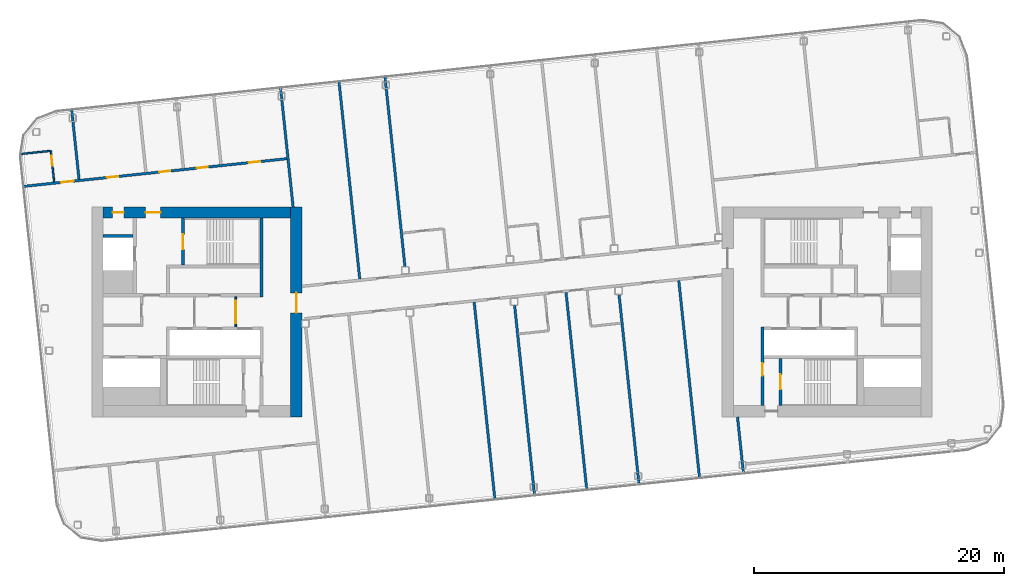
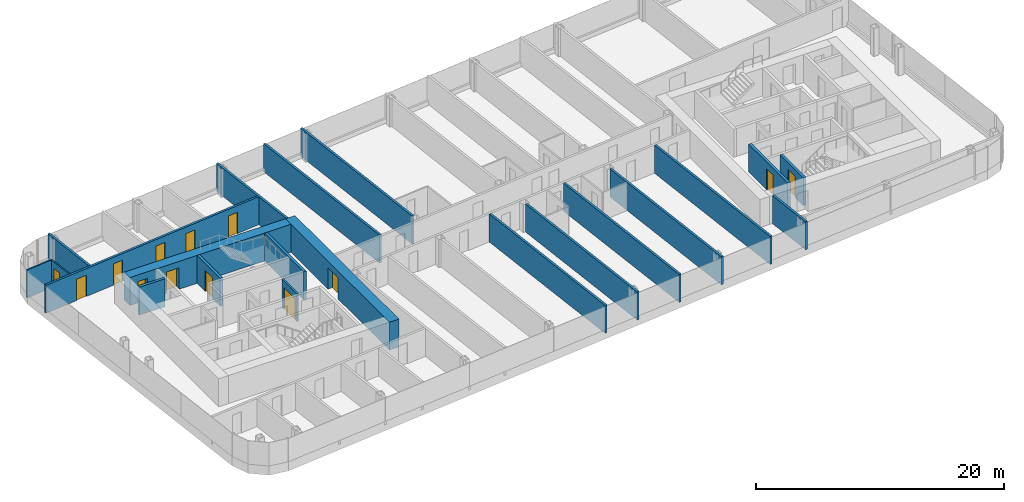
# One storey, part 15 of 27: 21 walls, 13 doors, 13 openings.
"""IFC4 building model written with IfcOpenShell, lengths in metres."""

import ifcopenshell
import ifcopenshell.guid

model = None  # the IFC model being written
_history = None  # IfcOwnerHistory: only IFC2X3 demands one
_inside = {}  # id of a spatial element -> (the spatial element, [elements in it])
_under = {}  # id of a project, library or spatial element -> (it, [spatial elements below it])
_declared = {}  # id of a project -> (the project, [libraries it declares])
_typed = {}  # id of a type object -> (the type object, [elements of that type])
_made_of = {}  # id of a material, layer set ... -> (it, [elements and type objects made of it])


def new_model(schema):
    """Start an empty IFC model of exactly this schema.

    Asked for "IFC4X3", IfcOpenShell would pick the latest addendum, in which some entities
    have other attributes; the version numbers below select the first issue.
    IFC2X3 requires an IfcOwnerHistory on every rooted entity: one is made here for all.
    """
    global model, _history
    if schema == "IFC4X3":
        model = ifcopenshell.file(schema_version=(4, 3, 0, 0))
    else:
        model = ifcopenshell.file(schema=schema)
    _inside.clear()
    _under.clear()
    _declared.clear()
    _typed.clear()
    _made_of.clear()
    _history = None
    if model.schema == "IFC2X3":
        org = make("IfcOrganization", Name="unknown")
        user = make(
            "IfcPersonAndOrganization",
            ThePerson=make("IfcPerson", FamilyName="unknown"),
            TheOrganization=org,
        )
        app = make(
            "IfcApplication",
            ApplicationDeveloper=org,
            Version="unknown",
            ApplicationFullName="unknown",
            ApplicationIdentifier="unknown",
        )
        _history = make(
            "IfcOwnerHistory",
            OwningUser=user,
            OwningApplication=app,
            ChangeAction="ADDED",
            CreationDate=0,
        )
    return model


def make(cls, **values):
    """One entity of the class cls with the attributes given. An attribute that is None is left unset."""
    return model.create_entity(
        cls, **{name: value for name, value in values.items() if value is not None}
    )


def rooted(cls, **values):
    """An entity with a GlobalId (a new one), such as an element, a storey or a relation."""
    return make(cls, GlobalId=ifcopenshell.guid.new(), OwnerHistory=_history, **values)


def si_unit(unit_type, name, prefix=None):
    """IfcSIUnit, for example si_unit("LENGTHUNIT", "METRE", prefix="MILLI")."""
    return make("IfcSIUnit", UnitType=unit_type, Prefix=prefix, Name=name)


def assignment(units):
    """IfcUnitAssignment: the units of a project."""
    return None if units is None else make("IfcUnitAssignment", Units=units)


def point(xyz):
    """IfcCartesianPoint."""
    return None if xyz is None else make("IfcCartesianPoint", Coordinates=xyz)


def direction(xyz):
    """IfcDirection."""
    return None if xyz is None else make("IfcDirection", DirectionRatios=xyz)


def frame(location, z_axis=None, x_axis=None):
    """IfcAxis2Placement3D, a coordinate frame: its origin and axes. An axis left out is left unset."""
    return make(
        "IfcAxis2Placement3D",
        Location=point(location),
        Axis=direction(z_axis),
        RefDirection=direction(x_axis),
    )


def frame_2d(location, x_axis=None):
    """IfcAxis2Placement2D, a coordinate frame in the plane: its origin and x axis."""
    return make(
        "IfcAxis2Placement2D", Location=point(location), RefDirection=direction(x_axis)
    )


def origin():
    """The frame at (0, 0, 0) with its axes left unset."""
    return frame((0.0, 0.0, 0.0))


def place(relative_to, where):
    """IfcLocalPlacement: puts the frame where relative to a parent placement (None: the world)."""
    return make(
        "IfcLocalPlacement", PlacementRelTo=relative_to, RelativePlacement=where
    )


def context(
    kind, dimensions, precision=None, world=None, true_north=None, identifier=None
):
    """IfcGeometricRepresentationContext, for example the 3D "Model" context."""
    return make(
        "IfcGeometricRepresentationContext",
        ContextIdentifier=identifier,
        ContextType=kind,
        CoordinateSpaceDimension=dimensions,
        Precision=precision,
        WorldCoordinateSystem=world,
        TrueNorth=true_north,
    )


def subcontext(parent, identifier, kind, view, scale=None):
    """IfcGeometricRepresentationSubContext, for example "Body" below "Model"."""
    return make(
        "IfcGeometricRepresentationSubContext",
        ContextIdentifier=identifier,
        ContextType=kind,
        ParentContext=parent,
        TargetScale=scale,
        TargetView=view,
    )


def project(units=None, contexts=None):
    """IfcProject with its units and contexts."""
    return rooted(
        "IfcProject",
        Name="project",
        RepresentationContexts=contexts,
        UnitsInContext=assignment(units),
    )


def spatial(cls, under=None, at=None, **own):
    """A site, building, storey or space (cls), placed at a placement, below another one or the project."""
    s = rooted(cls, ObjectPlacement=at, **own)
    if under is not None:
        _under.setdefault(under.id(), (under, []))[1].append(s)
    return s


def profile(cls, at=None, kind="AREA", **sizes):
    """A parametric profile (cls). Its sizes go by their IFC names, for example OverallWidth=200.0."""
    return make(cls, ProfileType=kind, Position=at, **sizes)


def rectangle(**sizes):
    """IfcRectangleProfileDef."""
    return profile("IfcRectangleProfileDef", **sizes)


def extrude(swept, where, along, depth):
    """IfcExtrudedAreaSolid: the profile swept, set in the frame where, extruded along a direction by depth."""
    return make(
        "IfcExtrudedAreaSolid",
        SweptArea=swept,
        Position=where,
        ExtrudedDirection=direction(along),
        Depth=depth,
    )


def shape(context_of_items, identifier, shape_type, items):
    """IfcShapeRepresentation: the items that make up one representation, for example the "Body"."""
    return make(
        "IfcShapeRepresentation",
        ContextOfItems=context_of_items,
        RepresentationIdentifier=identifier,
        RepresentationType=shape_type,
        Items=items,
    )


def material(Name=None, Category=None):
    """IfcMaterial."""
    return make("IfcMaterial", Name=Name, Category=Category)


def layer(
    of_material, thickness, ventilated=None, Name=None, Category=None, Priority=None
):
    """IfcMaterialLayer: one layer of a wall or slab, of a material (None: an air gap)."""
    return make(
        "IfcMaterialLayer",
        Material=of_material,
        LayerThickness=thickness,
        IsVentilated=ventilated,
        Name=Name,
        Category=Category,
        Priority=Priority,
    )


def layer_set(layers, Name=None):
    """IfcMaterialLayerSet."""
    return make("IfcMaterialLayerSet", MaterialLayers=layers, LayerSetName=Name)


def made_of(thing, what):
    """Note that an element or type object is made of a material, layer set ...; save() writes the relation."""
    if what is not None:
        _made_of.setdefault(what.id(), (what, []))[1].append(thing)
    return thing


def type_object(cls, material=None, **own):
    """A type object (cls), such as IfcWallType, which elements share."""
    return made_of(rooted(cls, **own), material)


def element(
    cls,
    number,
    at=None,
    inside=None,
    cuts=None,
    type_object=None,
    material=None,
    context=None,
    identifier="Body",
    shape_type=None,
    held_by="IfcProductDefinitionShape",
    body=None,
    shapes=None,
    **own,
):
    """One element of the class cls, such as IfcWall. Its Tag is "e" and its number.

    at: its placement. inside: the storey or other place that contains it. cuts: it is an
    opening in that element (IfcRelVoidsElement). A single representation is given by context,
    identifier, shape_type and body (its items); several are given by shapes. held_by: the class
    of the entity that holds the representations. save() writes the other relations.
    """
    e = rooted(cls, Tag="e%d" % number, ObjectPlacement=at, **own)
    if body is not None:
        shapes = [shape(context, identifier, shape_type, body)]
    if shapes is not None:
        e.Representation = make(held_by, Representations=shapes)
    if inside is not None:
        _inside.setdefault(inside.id(), (inside, []))[1].append(e)
    if cuts is not None:
        rooted(
            "IfcRelVoidsElement", RelatingBuildingElement=cuts, RelatedOpeningElement=e
        )
    if type_object is not None:
        _typed.setdefault(type_object.id(), (type_object, []))[1].append(e)
    return made_of(e, material)


def fill(opening, filler):
    """IfcRelFillsElement: the door or window that sits in an opening."""
    return rooted(
        "IfcRelFillsElement",
        RelatingOpeningElement=opening,
        RelatedBuildingElement=filler,
    )


def aggregate(whole, parts):
    """IfcRelAggregates: a whole, such as a stair, and the parts it consists of."""
    return rooted("IfcRelAggregates", RelatingObject=whole, RelatedObjects=parts)


def save(model, path):
    """Write the relations noted so far, then the file.

    IfcRelAggregates (storeys below a building ...), IfcRelContainedInSpatialStructure (elements
    in a storey), IfcRelDefinesByType, IfcRelAssociatesMaterial and IfcRelDeclares: one each for
    every whole, place, type object, material and project.
    """
    for whole, parts in _under.values():
        aggregate(whole, parts)
    for where, things in _inside.values():
        rooted(
            "IfcRelContainedInSpatialStructure",
            RelatedElements=things,
            RelatingStructure=where,
        )
    for kind, things in _typed.values():
        rooted("IfcRelDefinesByType", RelatedObjects=things, RelatingType=kind)
    for what, things in _made_of.values():
        rooted("IfcRelAssociatesMaterial", RelatedObjects=things, RelatingMaterial=what)
    for by, libraries in _declared.values():
        rooted("IfcRelDeclares", RelatingContext=by, RelatedDefinitions=libraries)
    model.write(path)


model = new_model("IFC4")

# Units and contexts
model_context = context("Model", 3, precision=1e-05, world=origin(), true_north=direction((0.0, 1.0)))
body_context = subcontext(model_context, "Body", "Model", "MODEL_VIEW")
ifc_project = project(units=[si_unit("LENGTHUNIT", "METRE"), si_unit("AREAUNIT", "SQUARE_METRE"), si_unit("VOLUMEUNIT", "CUBIC_METRE"), si_unit("PLANEANGLEUNIT", "RADIAN"), si_unit("MASSUNIT", "GRAM", prefix="KILO")], contexts=[model_context])

# Site, building, storey
site_placement = place(None, origin())
site = spatial("IfcSite", under=ifc_project, at=site_placement, CompositionType="ELEMENT")
building_placement = place(site_placement, origin())
building = spatial("IfcBuilding", under=site, at=building_placement, Name="Hakoniwa Tower and Hamabe Station Hall", CompositionType="ELEMENT")
storey_placement = place(building_placement, frame((0.0, 0.0, 261.39990234375)))
storey = spatial("IfcBuildingStorey", under=building, at=storey_placement, Name="L74", CompositionType="ELEMENT", Elevation=261.39990234375)

# Wall
ifc_material_1 = material(Name="Gypsum board partition", Category="gypsum")
ifc_layer_1 = layer(ifc_material_1, 0.125)
ifc_layer_set_1 = layer_set([ifc_layer_1], Name="Bathroom Partition 125")
wall_type_1 = type_object("IfcWallType", Name="Bathroom Partition 125", PredefinedType="PARTITIONING", material=ifc_layer_set_1)
wall_1_placement = place(storey_placement, frame((-39.336181640625, 12.62353515625, 0.0), z_axis=(0.0, 0.0, 1.0), x_axis=(0.994528281662, 0.104467683877, 0.0)))
element("IfcWall", 1, at=wall_1_placement, inside=storey, type_object=wall_type_1, Name="GW-L74-013", PredefinedType="PARTITIONING", context=body_context, shape_type="SweptSolid", body=[
    extrude(rectangle(XDim=2.400146484375, YDim=0.125, at=frame_2d((1.2001953125, 0.0))), origin(), (0.0, 0.0, 1.0), 2.75),
])

# Wall, opening, door
wall_2_placement = place(storey_placement, frame((-36.625732421875, 10.39453125, 0.0), z_axis=(0.0, 0.0, 1.0), x_axis=(-0.104588199498, 0.994515615024, 0.0)))
wall_2 = element("IfcWall", 2, at=wall_2_placement, inside=storey, type_object=wall_type_1, Name="GW-L74-014", PredefinedType="PARTITIONING", context=body_context, shape_type="SweptSolid", body=[
    extrude(rectangle(XDim=2.5, YDim=0.125, at=frame_2d((1.25, 0.0))), origin(), (0.0, 0.0, 1.0), 2.75),
])
opening_1_placement = place(wall_2_placement, frame((1.300048828125, 0.0, 0.0)))
opening_1 = element("IfcOpeningElement", 3, at=opening_1_placement, cuts=wall_2, Name="Opening GD-G5D1-30", PredefinedType="OPENING", context=body_context, shape_type="SweptSolid", body=[
    extrude(rectangle(XDim=0.800048828125, YDim=2.10009765625, at=frame_2d((0.39990234375, 1.050048828125))), frame((0.0, 0.072509765625, 0.0), z_axis=(0.0, -1.0, 0.0), x_axis=(1.0, 0.0, 0.0)), (0.0, 0.0, 1.0), 0.14501953125),
])
ifc_material_2 = material(Name="Timber door leaf", Category="wood")
door_type_1 = type_object("IfcDoorType", Name="Bathroom Door 800", OperationType="SINGLE_SWING_LEFT", PredefinedType="DOOR", material=ifc_material_2)
door_1_placement = place(opening_1_placement, origin())
door_1 = element("IfcDoor", 4, at=door_1_placement, inside=storey, type_object=door_type_1, Name="Door GD-G5D1-30", OperationType="SINGLE_SWING_LEFT", OverallHeight=2.10009765625, OverallWidth=0.800048828125, PredefinedType="DOOR", context=body_context, shape_type="SweptSolid", body=[
    extrude(rectangle(XDim=0.800048828125, YDim=2.10009765625, at=frame_2d((0.39990234375, 1.050048828125))), frame((0.0, 0.02490234375, 0.0), z_axis=(0.0, -1.0, 0.0), x_axis=(1.0, 0.0, 0.0)), (0.0, 0.0, 1.0), 0.050048828125),
])
fill(opening_1, door_1)

ifc_material_3 = material(Name="Gypsum board partition")
ifc_layer_2 = layer(ifc_material_3, 0.14990234375)
ifc_layer_set_2 = layer_set([ifc_layer_2], Name="CORE PARTITION 150 EI 60")
wall_type_2 = type_object("IfcWallType", Name="CORE PARTITION 150 EI 60", PredefinedType="PARTITIONING", material=ifc_layer_set_2)
wall_3_placement = place(storey_placement, frame((-22.10009765625, -1.199951171875, 0.0), z_axis=(0.0, 0.0, 1.0), x_axis=(0.0, 1.0, 0.0)))
wall_3 = element("IfcWall", 5, at=wall_3_placement, inside=storey, type_object=wall_type_2, Name="Core partition PL0 west", PredefinedType="PARTITIONING", context=body_context, shape_type="SweptSolid", body=[
    extrude(rectangle(XDim=2.39990234375, YDim=0.14990234375, at=frame_2d((1.199951171875, 0.0))), origin(), (0.0, 0.0, 1.0), 2.75),
])
opening_2_placement = place(wall_3_placement, frame((0.300048828125, 0.0, 0.0)))
opening_2 = element("IfcOpeningElement", 6, at=opening_2_placement, cuts=wall_3, Name="Opening CD-W-LP0-18", PredefinedType="OPENING", context=body_context, shape_type="SweptSolid", body=[
    extrude(rectangle(XDim=1.800048828125, YDim=2.10009765625, at=frame_2d((0.89990234375, 1.050048828125))), frame((0.0, 0.0849609375, 0.0), z_axis=(0.0, -1.0, 0.0), x_axis=(1.0, 0.0, 0.0)), (0.0, 0.0, 1.0), 0.169921875),
])
ifc_material_4 = material(Name="Steel fire door", Category="steel")
door_type_2 = type_object("IfcDoorType", Name="CORE DOOR 1800 FD60", OperationType="DOUBLE_DOOR_SINGLE_SWING", PredefinedType="DOOR", material=ifc_material_4)
door_2_placement = place(opening_2_placement, origin())
door_2 = element("IfcDoor", 7, at=door_2_placement, inside=storey, type_object=door_type_2, Name="Lift lobby partition door", OperationType="DOUBLE_DOOR_SINGLE_SWING", OverallHeight=2.10009765625, OverallWidth=1.800048828125, PredefinedType="DOOR", context=body_context, shape_type="SweptSolid", body=[
    extrude(rectangle(XDim=1.800048828125, YDim=2.10009765625, at=frame_2d((0.89990234375, 1.050048828125))), frame((0.0, 0.02490234375, 0.0), z_axis=(0.0, -1.0, 0.0), x_axis=(1.0, 0.0, 0.0)), (0.0, 0.0, 1.0), 0.050048828125),
])
fill(opening_2, door_2)

ifc_material_5 = material(Name="Concrete C60", Category="concrete")
ifc_layer_3 = layer(ifc_material_5, 0.89990234375)
ifc_layer_set_3 = layer_set([ifc_layer_3], Name="CORE WALL 900 C60")
wall_type_3 = type_object("IfcWallType", Name="CORE WALL 900 C60", PredefinedType="SHEAR", material=ifc_layer_set_3)
wall_4_placement = place(storey_placement, frame((-17.25, -8.39990234375, 0.0), z_axis=(0.0, 0.0, 1.0), x_axis=(0.0, 1.0, 0.0)))
wall_4 = element("IfcWall", 8, at=wall_4_placement, inside=storey, type_object=wall_type_3, Name="Core wall INNER west", PredefinedType="SHEAR", context=body_context, shape_type="SweptSolid", body=[
    extrude(rectangle(XDim=16.7998046875, YDim=0.89990234375, at=frame_2d((8.39990234375, 0.0))), origin(), (0.0, 0.0, 1.0), 2.75),
])
opening_3_placement = place(wall_4_placement, frame((8.321044921875, 0.0, 0.0)))
opening_3 = element("IfcOpeningElement", 9, at=opening_3_placement, cuts=wall_4, Name="Opening CD-W-IN1-16", PredefinedType="OPENING", context=body_context, shape_type="SweptSolid", body=[
    extrude(rectangle(XDim=1.60009765625, YDim=2.10009765625, at=frame_2d((0.800048828125, 1.050048828125))), frame((0.0, 0.4599609375, 0.0), z_axis=(0.0, -1.0, 0.0), x_axis=(1.0, 0.0, 0.0)), (0.0, 0.0, 1.0), 0.919921875),
])
ifc_material_6 = material(Name="Steel fire door", Category="steel")
door_type_3 = type_object("IfcDoorType", Name="CORE DOOR 1600 FD60", OperationType="DOUBLE_DOOR_SINGLE_SWING", PredefinedType="DOOR", material=ifc_material_6)
door_3_placement = place(opening_3_placement, origin())
door_3 = element("IfcDoor", 10, at=door_3_placement, inside=storey, type_object=door_type_3, Name="Lift lobby door", OperationType="DOUBLE_DOOR_SINGLE_SWING", OverallHeight=2.10009765625, OverallWidth=1.60009765625, PredefinedType="DOOR", context=body_context, shape_type="SweptSolid", body=[
    extrude(rectangle(XDim=1.60009765625, YDim=2.10009765625, at=frame_2d((0.800048828125, 1.050048828125))), frame((0.0, 0.02490234375, 0.0), z_axis=(0.0, -1.0, 0.0), x_axis=(1.0, 0.0, 0.0)), (0.0, 0.0, 1.0), 0.050048828125),
])
fill(opening_3, door_3)

# Wall, openings, doors
wall_5_placement = place(storey_placement, frame((-32.699951171875, 7.949951171875, 0.0), z_axis=(0.0, 0.0, 1.0), x_axis=(1.0, 0.0, 0.0)))
wall_5 = element("IfcWall", 11, at=wall_5_placement, inside=storey, type_object=wall_type_3, Name="Core wall NORTH west", PredefinedType="SHEAR", context=body_context, shape_type="SweptSolid", body=[
    extrude(rectangle(XDim=15.0, YDim=0.89990234375, at=frame_2d((7.5, 0.0))), origin(), (0.0, 0.0, 1.0), 2.75),
])
opening_4_placement = place(wall_5_placement, frame((3.39990234375, 0.0, 0.0)))
opening_4 = element("IfcOpeningElement", 12, at=opening_4_placement, cuts=wall_5, Name="Opening CD-W-FN1-12", PredefinedType="OPENING", context=body_context, shape_type="SweptSolid", body=[
    extrude(rectangle(XDim=1.199951171875, YDim=2.10009765625, at=frame_2d((0.60009765625, 1.050048828125))), frame((0.0, 0.4599609375, 0.0), z_axis=(0.0, -1.0, 0.0), x_axis=(1.0, 0.0, 0.0)), (0.0, 0.0, 1.0), 0.919921875),
])
opening_5_placement = place(wall_5_placement, frame((0.75, 0.0, 0.0)))
opening_5 = element("IfcOpeningElement", 13, at=opening_5_placement, cuts=wall_5, Name="Opening CD-W-FN2-9", PredefinedType="OPENING", context=body_context, shape_type="SweptSolid", body=[
    extrude(rectangle(XDim=0.89990234375, YDim=2.10009765625, at=frame_2d((0.449951171875, 1.050048828125))), frame((0.0, 0.4599609375, 0.0), z_axis=(0.0, -1.0, 0.0), x_axis=(1.0, 0.0, 0.0)), (0.0, 0.0, 1.0), 0.919921875),
])
ifc_material_7 = material(Name="Steel fire door", Category="steel")
door_type_4 = type_object("IfcDoorType", Name="CORE DOOR 1200 FD60", OperationType="DOUBLE_DOOR_SINGLE_SWING", PredefinedType="DOOR", material=ifc_material_7)
door_4_placement = place(opening_4_placement, origin())
door_4 = element("IfcDoor", 14, at=door_4_placement, inside=storey, type_object=door_type_4, Name="Stair vestibule door to the fire-fighting lobby", OperationType="DOUBLE_DOOR_SINGLE_SWING", OverallHeight=2.10009765625, OverallWidth=1.199951171875, PredefinedType="DOOR", context=body_context, shape_type="SweptSolid", body=[
    extrude(rectangle(XDim=1.199951171875, YDim=2.10009765625, at=frame_2d((0.60009765625, 1.050048828125))), frame((0.0, 0.02490234375, 0.0), z_axis=(0.0, -1.0, 0.0), x_axis=(1.0, 0.0, 0.0)), (0.0, 0.0, 1.0), 0.050048828125),
])
fill(opening_4, door_4)
ifc_material_8 = material(Name="Steel fire door", Category="steel")
door_type_5 = type_object("IfcDoorType", Name="CORE DOOR 900 FD30", OperationType="NOTDEFINED", PredefinedType="DOOR", material=ifc_material_8)
door_5_placement = place(opening_5_placement, origin())
door_5 = element("IfcDoor", 15, at=door_5_placement, inside=storey, type_object=door_type_5, Name="Riser access door", OperationType="SINGLE_SWING_RIGHT", OverallHeight=2.10009765625, OverallWidth=0.89990234375, PredefinedType="DOOR", context=body_context, shape_type="SweptSolid", body=[
    extrude(rectangle(XDim=0.89990234375, YDim=2.10009765625, at=frame_2d((0.449951171875, 1.050048828125))), frame((0.0, 0.02490234375, 0.0), z_axis=(0.0, -1.0, 0.0), x_axis=(1.0, 0.0, 0.0)), (0.0, 0.0, 1.0), 0.050048828125),
])
fill(opening_5, door_5)

# Wall
ifc_material_9 = material(Name="Concrete C60", Category="concrete")
ifc_layer_4 = layer(ifc_material_9, 0.25)
ifc_layer_set_4 = layer_set([ifc_layer_4], Name="CORE WEB WALL 250 C60")
wall_type_4 = type_object("IfcWallType", Name="CORE WEB WALL 250 C60", PredefinedType="SHEAR", material=ifc_layer_set_4)
wall_6_placement = place(storey_placement, frame((-20.02490234375, 1.199951171875, 0.0), z_axis=(0.0, 0.0, 1.0), x_axis=(0.0, 1.0, 0.0)))
element("IfcWall", 16, at=wall_6_placement, inside=storey, type_object=wall_type_4, Name="Core wall W1N west", PredefinedType="SHEAR", context=body_context, shape_type="SweptSolid", body=[
    extrude(rectangle(XDim=6.300048828125, YDim=0.25, at=frame_2d((3.14990234375, 0.0))), origin(), (0.0, 0.0, 1.0), 2.75),
])

# Wall, opening, door
wall_7_placement = place(storey_placement, frame((-26.324951171875, 3.75, 0.0), z_axis=(0.0, 0.0, 1.0), x_axis=(0.0, 1.0, 0.0)))
wall_7 = element("IfcWall", 17, at=wall_7_placement, inside=storey, type_object=wall_type_4, Name="Core wall NSE west", PredefinedType="SHEAR", context=body_context, shape_type="SweptSolid", body=[
    extrude(rectangle(XDim=3.75, YDim=0.25, at=frame_2d((1.875, 0.0))), origin(), (0.0, 0.0, 1.0), 2.75),
])
opening_6_placement = place(wall_7_placement, frame((1.25, 0.0, 0.0)))
opening_6 = element("IfcOpeningElement", 18, at=opening_6_placement, cuts=wall_7, Name="Opening CD-W-SN-12", PredefinedType="OPENING", context=body_context, shape_type="SweptSolid", body=[
    extrude(rectangle(XDim=1.199951171875, YDim=2.10009765625, at=frame_2d((0.60009765625, 1.050048828125))), frame((0.0, 0.135009765625, 0.0), z_axis=(0.0, -1.0, 0.0), x_axis=(1.0, 0.0, 0.0)), (0.0, 0.0, 1.0), 0.27001953125),
])
door_6_placement = place(opening_6_placement, origin())
door_6 = element("IfcDoor", 19, at=door_6_placement, inside=storey, type_object=door_type_4, Name="Escape stair door", OperationType="DOUBLE_DOOR_SINGLE_SWING", OverallHeight=2.10009765625, OverallWidth=1.199951171875, PredefinedType="DOOR", context=body_context, shape_type="SweptSolid", body=[
    extrude(rectangle(XDim=1.199951171875, YDim=2.10009765625, at=frame_2d((0.60009765625, 1.050048828125))), frame((0.0, 0.02490234375, 0.0), z_axis=(0.0, -1.0, 0.0), x_axis=(1.0, 0.0, 0.0)), (0.0, 0.0, 1.0), 0.050048828125),
])
fill(opening_6, door_6)

# Wall
wall_8_placement = place(storey_placement, frame((-32.699951171875, 6.074951171875, 0.0), z_axis=(0.0, 0.0, 1.0), x_axis=(1.0, 0.0, 0.0)))
element("IfcWall", 20, at=wall_8_placement, inside=storey, type_object=wall_type_4, Name="Core wall C2 west", PredefinedType="SHEAR", context=body_context, shape_type="SweptSolid", body=[
    extrude(rectangle(XDim=2.39990234375, YDim=0.25, at=frame_2d((1.199951171875, 0.0))), origin(), (0.0, 0.0, 1.0), 2.75),
])

# Wall, opening, door
wall_9_placement = place(storey_placement, frame((20.02490234375, -7.5, 0.0), z_axis=(0.0, 0.0, 1.0), x_axis=(0.0, 1.0, 0.0)))
wall_9 = element("IfcWall", 21, at=wall_9_placement, inside=storey, type_object=wall_type_4, Name="Core wall W1S east", PredefinedType="SHEAR", context=body_context, shape_type="SweptSolid", body=[
    extrude(rectangle(XDim=6.300048828125, YDim=0.25, at=frame_2d((3.14990234375, 0.0))), origin(), (0.0, 0.0, 1.0), 2.75),
])
opening_7_placement = place(wall_9_placement, frame((2.39990234375, 0.0, 0.0)))
opening_7 = element("IfcOpeningElement", 22, at=opening_7_placement, cuts=wall_9, Name="Opening CD-E-VS-10", PredefinedType="OPENING", context=body_context, shape_type="SweptSolid", body=[
    extrude(rectangle(XDim=1.0, YDim=2.10009765625, at=frame_2d((0.5, 1.050048828125))), frame((0.0, 0.135009765625, 0.0), z_axis=(0.0, -1.0, 0.0), x_axis=(1.0, 0.0, 0.0)), (0.0, 0.0, 1.0), 0.27001953125),
])
ifc_material_10 = material(Name="Steel fire door", Category="steel")
door_type_6 = type_object("IfcDoorType", Name="CORE DOOR 1000 FD60", OperationType="NOTDEFINED", PredefinedType="DOOR", material=ifc_material_10)
door_7_placement = place(opening_7_placement, origin())
door_7 = element("IfcDoor", 23, at=door_7_placement, inside=storey, type_object=door_type_6, Name="Stair vestibule door", OperationType="SINGLE_SWING_RIGHT", OverallHeight=2.10009765625, OverallWidth=1.0, PredefinedType="DOOR", context=body_context, shape_type="SweptSolid", body=[
    extrude(rectangle(XDim=1.0, YDim=2.10009765625, at=frame_2d((0.5, 1.050048828125))), frame((0.0, 0.02490234375, 0.0), z_axis=(0.0, -1.0, 0.0), x_axis=(1.0, 0.0, 0.0)), (0.0, 0.0, 1.0), 0.050048828125),
])
fill(opening_7, door_7)

wall_10_placement = place(storey_placement, frame((21.47509765625, -7.5, 0.0), z_axis=(0.0, 0.0, 1.0), x_axis=(0.0, 1.0, 0.0)))
wall_10 = element("IfcWall", 24, at=wall_10_placement, inside=storey, type_object=wall_type_4, Name="Core wall VE east", PredefinedType="SHEAR", context=body_context, shape_type="SweptSolid", body=[
    extrude(rectangle(XDim=3.75, YDim=0.25, at=frame_2d((1.875, 0.0))), origin(), (0.0, 0.0, 1.0), 2.75),
])
opening_8_placement = place(wall_10_placement, frame((1.300048828125, 0.0, 0.0)))
opening_8 = element("IfcOpeningElement", 25, at=opening_8_placement, cuts=wall_10, Name="Opening CD-E-SS-12", PredefinedType="OPENING", context=body_context, shape_type="SweptSolid", body=[
    extrude(rectangle(XDim=1.199951171875, YDim=2.10009765625, at=frame_2d((0.60009765625, 1.050048828125))), frame((0.0, 0.135009765625, 0.0), z_axis=(0.0, -1.0, 0.0), x_axis=(1.0, 0.0, 0.0)), (0.0, 0.0, 1.0), 0.27001953125),
])
door_8_placement = place(opening_8_placement, origin())
door_8 = element("IfcDoor", 26, at=door_8_placement, inside=storey, type_object=door_type_4, Name="Escape stair door", OperationType="DOUBLE_DOOR_SINGLE_SWING", OverallHeight=2.10009765625, OverallWidth=1.199951171875, PredefinedType="DOOR", context=body_context, shape_type="SweptSolid", body=[
    extrude(rectangle(XDim=1.199951171875, YDim=2.10009765625, at=frame_2d((0.60009765625, 1.050048828125))), frame((0.0, 0.02490234375, 0.0), z_axis=(0.0, -1.0, 0.0), x_axis=(1.0, 0.0, 0.0)), (0.0, 0.0, 1.0), 0.050048828125),
])
fill(opening_8, door_8)

# Wall, openings, doors
ifc_material_11 = material(Name="Fire-rated gypsum board partition", Category="gypsum")
ifc_layer_5 = layer(ifc_material_11, 0.199951171875)
ifc_layer_set_5 = layer_set([ifc_layer_5], Name="Corridor Wall 200")
wall_type_5 = type_object("IfcWallType", Name="Corridor Wall 200", PredefinedType="PARTITIONING", material=ifc_layer_set_5)
wall_11_placement = place(storey_placement, frame((-39.101806640625, 10.033935546875, 0.0), z_axis=(0.0, 0.0, 1.0), x_axis=(0.994522585465, 0.104521897229, 0.0)))
wall_11 = element("IfcWall", 27, at=wall_11_placement, inside=storey, type_object=wall_type_5, Name="GW-L74-012", PredefinedType="PARTITIONING", context=body_context, shape_type="SweptSolid", body=[
    extrude(rectangle(XDim=21.300048828125, YDim=0.199951171875, at=frame_2d((10.64990234375, 0.0))), origin(), (0.0, 0.0, 1.0), 2.75),
])
opening_9_placement = place(wall_11_placement, frame((3.050048828125, 0.0, 0.0)))
opening_9 = element("IfcOpeningElement", 28, at=opening_9_placement, cuts=wall_11, Name="Opening GD-G5D1-25", PredefinedType="OPENING", context=body_context, shape_type="SweptSolid", body=[
    extrude(rectangle(XDim=1.0, YDim=2.10009765625, at=frame_2d((0.5, 1.050048828125))), frame((0.0, 0.10986328125, 0.0), z_axis=(0.0, -1.0, 0.0), x_axis=(1.0, 0.0, 0.0)), (0.0, 0.0, 1.0), 0.219970703125),
])
opening_10_placement = place(wall_11_placement, frame((6.739990234375, 0.0, 0.0)))
opening_10 = element("IfcOpeningElement", 29, at=opening_10_placement, cuts=wall_11, Name="Opening GD-G5D1-26", PredefinedType="OPENING", context=body_context, shape_type="SweptSolid", body=[
    extrude(rectangle(XDim=0.89990234375, YDim=2.10009765625, at=frame_2d((0.449951171875, 1.050048828125))), frame((0.0, 0.10986328125, 0.0), z_axis=(0.0, -1.0, 0.0), x_axis=(1.0, 0.0, 0.0)), (0.0, 0.0, 1.0), 0.219970703125),
])
opening_11_placement = place(wall_11_placement, frame((10.93994140625, 0.0, 0.0)))
opening_11 = element("IfcOpeningElement", 30, at=opening_11_placement, cuts=wall_11, Name="Opening GD-G5D1-27", PredefinedType="OPENING", context=body_context, shape_type="SweptSolid", body=[
    extrude(rectangle(XDim=0.89990234375, YDim=2.10009765625, at=frame_2d((0.449951171875, 1.050048828125))), frame((0.0, 0.10986328125, 0.0), z_axis=(0.0, -1.0, 0.0), x_axis=(1.0, 0.0, 0.0)), (0.0, 0.0, 1.0), 0.219970703125),
])
opening_12_placement = place(wall_11_placement, frame((13.9599609375, 0.0, 0.0)))
opening_12 = element("IfcOpeningElement", 31, at=opening_12_placement, cuts=wall_11, Name="Opening GD-G5D1-28", PredefinedType="OPENING", context=body_context, shape_type="SweptSolid", body=[
    extrude(rectangle(XDim=0.89990234375, YDim=2.10009765625, at=frame_2d((0.449951171875, 1.050048828125))), frame((0.0, 0.10986328125, 0.0), z_axis=(0.0, -1.0, 0.0), x_axis=(1.0, 0.0, 0.0)), (0.0, 0.0, 1.0), 0.219970703125),
])
opening_13_placement = place(wall_11_placement, frame((18.159912109375, 0.0, 0.0)))
opening_13 = element("IfcOpeningElement", 32, at=opening_13_placement, cuts=wall_11, Name="Opening GD-G5D1-29", PredefinedType="OPENING", context=body_context, shape_type="SweptSolid", body=[
    extrude(rectangle(XDim=0.89990234375, YDim=2.10009765625, at=frame_2d((0.449951171875, 1.050048828125))), frame((0.0, 0.10986328125, 0.0), z_axis=(0.0, -1.0, 0.0), x_axis=(1.0, 0.0, 0.0)), (0.0, 0.0, 1.0), 0.219970703125),
])
ifc_material_12 = material(Name="Timber door leaf", Category="wood")
door_type_7 = type_object("IfcDoorType", Name="Guest Entrance Door 1000", OperationType="SINGLE_SWING_LEFT", PredefinedType="DOOR", material=ifc_material_12)
door_9_placement = place(opening_9_placement, origin())
door_9 = element("IfcDoor", 33, at=door_9_placement, inside=storey, type_object=door_type_7, Name="Door GD-G5D1-25", OperationType="SINGLE_SWING_LEFT", OverallHeight=2.10009765625, OverallWidth=1.0, PredefinedType="DOOR", context=body_context, shape_type="SweptSolid", body=[
    extrude(rectangle(XDim=1.0, YDim=2.10009765625, at=frame_2d((0.5, 1.050048828125))), frame((0.0, 0.02490234375, 0.0), z_axis=(0.0, -1.0, 0.0), x_axis=(1.0, 0.0, 0.0)), (0.0, 0.0, 1.0), 0.050048828125),
])
fill(opening_9, door_9)
ifc_material_13 = material(Name="Timber door leaf", Category="wood")
door_type_8 = type_object("IfcDoorType", Name="Service Door 900", OperationType="SINGLE_SWING_LEFT", PredefinedType="DOOR", material=ifc_material_13)
door_10_placement = place(opening_10_placement, origin())
door_10 = element("IfcDoor", 34, at=door_10_placement, inside=storey, type_object=door_type_8, Name="Door GD-G5D1-26", OperationType="SINGLE_SWING_RIGHT", OverallHeight=2.10009765625, OverallWidth=0.89990234375, PredefinedType="DOOR", context=body_context, shape_type="SweptSolid", body=[
    extrude(rectangle(XDim=0.89990234375, YDim=2.10009765625, at=frame_2d((0.449951171875, 1.050048828125))), frame((0.0, 0.02490234375, 0.0), z_axis=(0.0, -1.0, 0.0), x_axis=(1.0, 0.0, 0.0)), (0.0, 0.0, 1.0), 0.050048828125),
])
fill(opening_10, door_10)
door_11_placement = place(opening_11_placement, origin())
door_11 = element("IfcDoor", 35, at=door_11_placement, inside=storey, type_object=door_type_8, Name="Door GD-G5D1-27", OperationType="SINGLE_SWING_LEFT", OverallHeight=2.10009765625, OverallWidth=0.89990234375, PredefinedType="DOOR", context=body_context, shape_type="SweptSolid", body=[
    extrude(rectangle(XDim=0.89990234375, YDim=2.10009765625, at=frame_2d((0.449951171875, 1.050048828125))), frame((0.0, 0.02490234375, 0.0), z_axis=(0.0, -1.0, 0.0), x_axis=(1.0, 0.0, 0.0)), (0.0, 0.0, 1.0), 0.050048828125),
])
fill(opening_11, door_11)
door_12_placement = place(opening_12_placement, origin())
door_12 = element("IfcDoor", 36, at=door_12_placement, inside=storey, type_object=door_type_8, Name="Door GD-G5D1-28", OperationType="SINGLE_SWING_RIGHT", OverallHeight=2.10009765625, OverallWidth=0.89990234375, PredefinedType="DOOR", context=body_context, shape_type="SweptSolid", body=[
    extrude(rectangle(XDim=0.89990234375, YDim=2.10009765625, at=frame_2d((0.449951171875, 1.050048828125))), frame((0.0, 0.02490234375, 0.0), z_axis=(0.0, -1.0, 0.0), x_axis=(1.0, 0.0, 0.0)), (0.0, 0.0, 1.0), 0.050048828125),
])
fill(opening_12, door_12)
door_13_placement = place(opening_13_placement, origin())
door_13 = element("IfcDoor", 37, at=door_13_placement, inside=storey, type_object=door_type_8, Name="Door GD-G5D1-29", OperationType="SINGLE_SWING_LEFT", OverallHeight=2.10009765625, OverallWidth=0.89990234375, PredefinedType="DOOR", context=body_context, shape_type="SweptSolid", body=[
    extrude(rectangle(XDim=0.89990234375, YDim=2.10009765625, at=frame_2d((0.449951171875, 1.050048828125))), frame((0.0, 0.02490234375, 0.0), z_axis=(0.0, -1.0, 0.0), x_axis=(1.0, 0.0, 0.0)), (0.0, 0.0, 1.0), 0.050048828125),
])
fill(opening_13, door_13)

# Walls
ifc_material_14 = material(Name="Fire-rated gypsum board partition", Category="gypsum")
ifc_layer_6 = layer(ifc_material_14, 0.199951171875)
ifc_layer_set_6 = layer_set([ifc_layer_6], Name="Party Wall 200")
wall_type_6 = type_object("IfcWallType", Name="Party Wall 200", PredefinedType="PARTITIONING", material=ifc_layer_set_6)
wall_12_placement = place(storey_placement, frame((-34.63671875, 10.603759765625, 0.0), z_axis=(0.0, 0.0, 1.0), x_axis=(-0.104560413987, 0.994518536693, 0.0)))
element("IfcWall", 38, at=wall_12_placement, inside=storey, type_object=wall_type_6, Name="GW-L74-016", PredefinedType="PARTITIONING", context=body_context, shape_type="SweptSolid", body=[
    extrude(rectangle(XDim=5.6201171875, YDim=0.199951171875, at=frame_2d((2.81005859375, 0.0))), origin(), (0.0, 0.0, 1.0), 2.75),
])
wall_13_placement = place(storey_placement, frame((-17.51220703125, 8.39501953125, 0.0), z_axis=(0.0, 0.0, 1.0), x_axis=(-0.104524714473, 0.994522289375, 0.0)))
element("IfcWall", 39, at=wall_13_placement, inside=storey, type_object=wall_type_6, Name="GW-L74-024", PredefinedType="PARTITIONING", context=body_context, shape_type="SweptSolid", body=[
    extrude(rectangle(XDim=9.60693359375, YDim=0.199951171875, at=frame_2d((4.803466796875, 0.0))), origin(), (0.0, 0.0, 1.0), 2.75),
])
wall_14_placement = place(storey_placement, frame((-12.18017578125, 2.62744140625, 0.0), z_axis=(0.0, 0.0, 1.0), x_axis=(-0.104519331095, 0.994522855156, 0.0)))
element("IfcWall", 40, at=wall_14_placement, inside=storey, type_object=wall_type_6, Name="GW-L74-026", PredefinedType="PARTITIONING", context=body_context, shape_type="SweptSolid", body=[
    extrude(rectangle(XDim=15.900146484375, YDim=0.199951171875, at=frame_2d((7.9501953125, 0.0))), origin(), (0.0, 0.0, 1.0), 2.75),
])
wall_15_placement = place(storey_placement, frame((-8.562255859375, 3.6025390625, 0.0), z_axis=(0.0, 0.0, 1.0), x_axis=(-0.104523729364, 0.99452239291, 0.0)))
element("IfcWall", 41, at=wall_15_placement, inside=storey, type_object=wall_type_6, Name="GW-L74-028", PredefinedType="PARTITIONING", context=body_context, shape_type="SweptSolid", body=[
    extrude(rectangle(XDim=15.308349609375, YDim=0.199951171875, at=frame_2d((7.654296875, 0.0))), origin(), (0.0, 0.0, 1.0), 2.75),
])
wall_16_placement = place(storey_placement, frame((-1.3642578125, -15.03857421875, 0.0), z_axis=(0.0, 0.0, 1.0), x_axis=(-0.104520927191, 0.994522687413, 0.0)))
element("IfcWall", 42, at=wall_16_placement, inside=storey, type_object=wall_type_6, Name="GW-L74-030", PredefinedType="PARTITIONING", context=body_context, shape_type="SweptSolid", body=[
    extrude(rectangle(XDim=15.89990234375, YDim=0.199951171875, at=frame_2d((7.949951171875, 0.0))), origin(), (0.0, 0.0, 1.0), 2.75),
])
wall_17_placement = place(storey_placement, frame((1.808349609375, -14.705322265625, 0.0), z_axis=(0.0, 0.0, 1.0), x_axis=(-0.104523729364, 0.99452239291, 0.0)))
element("IfcWall", 43, at=wall_17_placement, inside=storey, type_object=wall_type_6, Name="GW-L74-031", PredefinedType="PARTITIONING", context=body_context, shape_type="SweptSolid", body=[
    extrude(rectangle(XDim=15.308349609375, YDim=0.199951171875, at=frame_2d((7.654296875, 0.0))), origin(), (0.0, 0.0, 1.0), 2.75),
])
wall_18_placement = place(storey_placement, frame((5.9853515625, -14.26611328125, 0.0), z_axis=(0.0, 0.0, 1.0), x_axis=(-0.104536114326, 0.99452109118, 0.0)))
element("IfcWall", 44, at=wall_18_placement, inside=storey, type_object=wall_type_6, Name="GW-L74-035", PredefinedType="PARTITIONING", context=body_context, shape_type="SweptSolid", body=[
    extrude(rectangle(XDim=15.89990234375, YDim=0.199951171875, at=frame_2d((7.949951171875, 0.0))), origin(), (0.0, 0.0, 1.0), 2.75),
])
wall_19_placement = place(storey_placement, frame((10.162353515625, -13.8271484375, 0.0), z_axis=(0.0, 0.0, 1.0), x_axis=(-0.104523729364, 0.99452239291, 0.0)))
element("IfcWall", 45, at=wall_19_placement, inside=storey, type_object=wall_type_6, Name="GW-L74-039", PredefinedType="PARTITIONING", context=body_context, shape_type="SweptSolid", body=[
    extrude(rectangle(XDim=15.308349609375, YDim=0.199951171875, at=frame_2d((7.654296875, 0.0))), origin(), (0.0, 0.0, 1.0), 2.75),
])
wall_20_placement = place(storey_placement, frame((15.005615234375, -13.318115234375, 0.0), z_axis=(0.0, 0.0, 1.0), x_axis=(-0.104519331095, 0.994522855156, 0.0)))
element("IfcWall", 46, at=wall_20_placement, inside=storey, type_object=wall_type_6, Name="GW-L74-041", PredefinedType="PARTITIONING", context=body_context, shape_type="SweptSolid", body=[
    extrude(rectangle(XDim=15.900146484375, YDim=0.199951171875, at=frame_2d((7.9501953125, 0.0))), origin(), (0.0, 0.0, 1.0), 2.75),
])
wall_21_placement = place(storey_placement, frame((18.516357421875, -12.94921875, 0.0), z_axis=(0.0, 0.0, 1.0), x_axis=(-0.104548796268, 0.994519758074, 0.0)))
element("IfcWall", 47, at=wall_21_placement, inside=storey, type_object=wall_type_6, Name="GW-L74-043", PredefinedType="PARTITIONING", context=body_context, shape_type="SweptSolid", body=[
    extrude(rectangle(XDim=4.579345703125, YDim=0.199951171875, at=frame_2d((2.28955078125, 0.0))), origin(), (0.0, 0.0, 1.0), 2.75),
])

save(model, "model.ifc")
